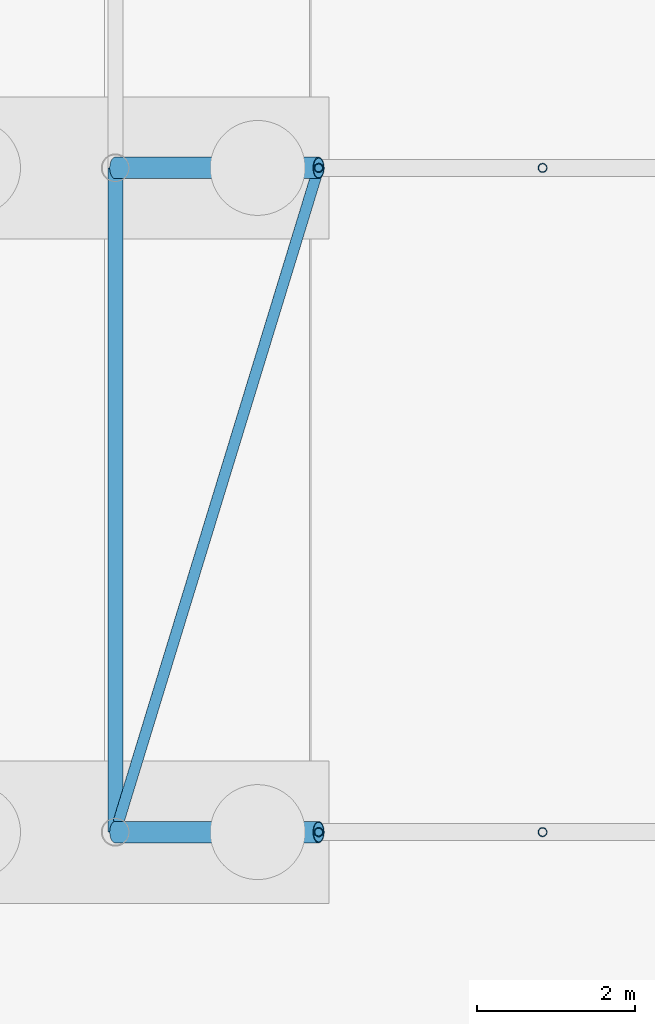
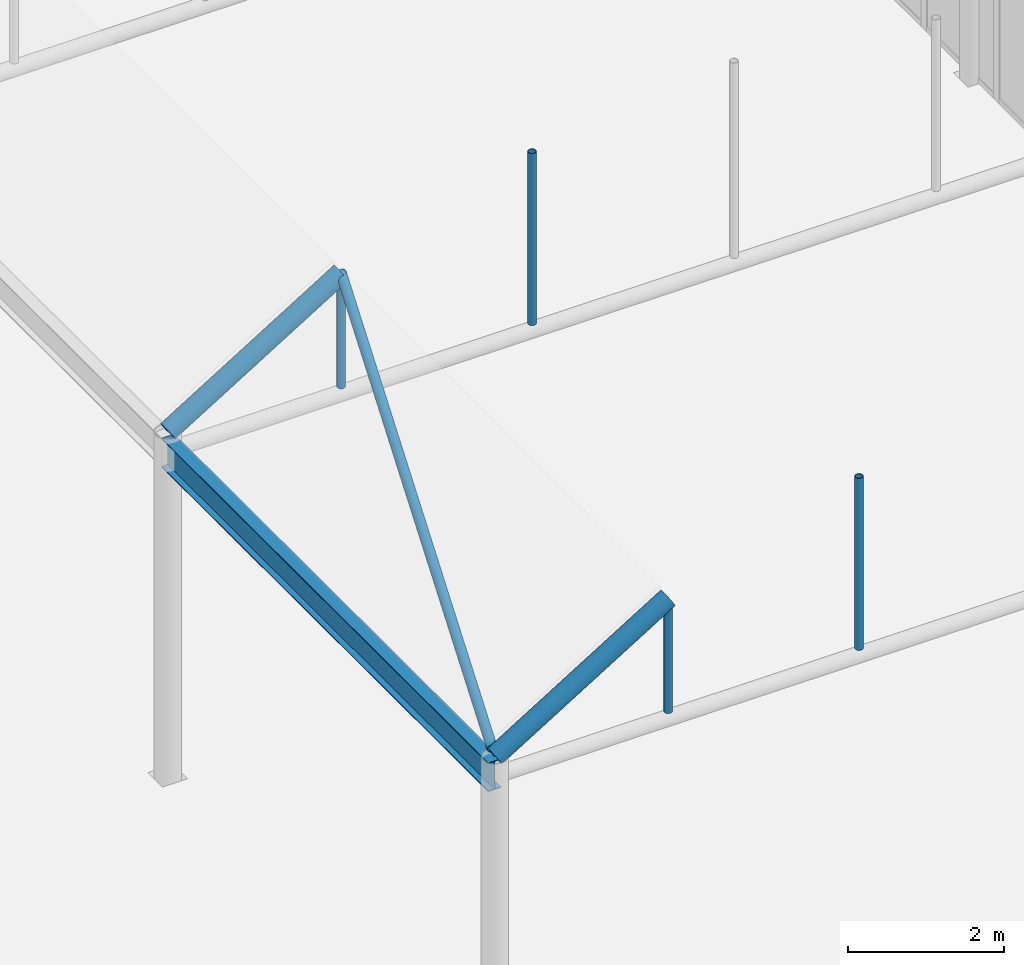
# One storey, part 84 of 212: 7 members, 1 beam.
"""IFC4 building model written with IfcOpenShell, lengths in metres."""

from ifc_helpers import new_model, si_unit, direction, frame, origin, origin_2d, place, context, subcontext, project, spatial, hollow_circle, i_section, extrude, material, material_profile, profile_set, type_object, element, save


model = new_model("IFC4")

# Units and contexts
model_context = context("Model", 3, precision=1e-05, world=origin(), true_north=direction((0.0, 1.0)))
body_context = subcontext(model_context, "Body", "Model", "MODEL_VIEW")
ifc_project = project(units=[si_unit("LENGTHUNIT", "METRE"), si_unit("AREAUNIT", "SQUARE_METRE"), si_unit("VOLUMEUNIT", "CUBIC_METRE"), si_unit("PLANEANGLEUNIT", "RADIAN"), si_unit("MASSUNIT", "GRAM", prefix="KILO")], contexts=[model_context])

# Site, building, storey
site_placement = place(None, origin())
site = spatial("IfcSite", under=ifc_project, at=site_placement, CompositionType="ELEMENT")
building_placement = place(site_placement, origin())
building = spatial("IfcBuilding", under=site, at=building_placement, Name="Catenary Quay Ferry Terminal", CompositionType="ELEMENT")
storey_placement = place(building_placement, origin())
storey = spatial("IfcBuildingStorey", under=building, at=storey_placement, Name="L00", CompositionType="ELEMENT", Elevation=0.0)

# Beam
ifc_material_1 = material(Name="Steel S355", Category="steel")
ifc_material_profile_1 = material_profile(ifc_material_1, i_section(OverallWidth=0.18994140625, OverallDepth=0.453369140625, WebThickness=0.008544921875, FlangeThickness=0.0126953125, at=origin_2d()), Name="UB 457x191x67")
ifc_profile_set_1 = profile_set([ifc_material_profile_1], Name="Steel S355")
beam_type = type_object("IfcBeamType", Name="B1 UB 457x191x67", PredefinedType="BEAM", material=ifc_profile_set_1)
beam_placement = place(storey_placement, frame((8.39990234375, 67.199951171875, 5.10009765625), z_axis=(0.0, 1.0, 0.0), x_axis=(-1.0, 0.0, 0.0)))
element("IfcBeam", 1, at=beam_placement, inside=storey, type_object=beam_type, Name="Eaves beam B-FB1", PredefinedType="BEAM", context=body_context, shape_type="SweptSolid", body=[
    extrude(i_section(OverallWidth=0.18994140625, OverallDepth=0.453369140625, WebThickness=0.008544921875, FlangeThickness=0.0126953125, at=origin_2d()), origin(), (0.0, 0.0, 1.0), 8.400146484375),
])

# Members
ifc_material_2 = material(Name="Steel S355", Category="steel")
ifc_material_profile_2 = material_profile(ifc_material_2, hollow_circle(Radius=0.06982421875, WallThickness=0.008056640625, at=origin_2d()), Name="CHS 139.7x8")
ifc_profile_set_2 = profile_set([ifc_material_profile_2], Name="Steel S355")
member_type_1 = type_object("IfcMemberType", Name="BR1 CHS 139.7x8", PredefinedType="BRACE", material=ifc_profile_set_2)
member_1_placement = place(storey_placement, frame((8.43994140625, 67.330078125, 5.425048828125), z_axis=(0.288006581724, 0.941056713544, 0.177382273011), x_axis=(-0.956220431368, 0.292647375922, 0.0)))
element("IfcMember", 2, at=member_1_placement, inside=storey, type_object=member_type_1, Name="Roof brace BR-FC-01-01", PredefinedType="BRACE", context=body_context, shape_type="SweptSolid", body=[
    extrude(hollow_circle(Radius=0.06982421875, WallThickness=0.008056640625, at=origin_2d()), origin(), (0.0, 0.0, 1.0), 8.7880859375),
])
ifc_material_3 = material(Name="Steel S355", Category="steel")
ifc_material_profile_3 = material_profile(ifc_material_3, hollow_circle(Radius=0.05712890625, WallThickness=0.00634765625, at=origin_2d()), Name="CHS 114.3x6.3")
ifc_profile_set_3 = profile_set([ifc_material_profile_3], Name="Steel S355")
member_type_2 = type_object("IfcMemberType", Name="HG1 CHS 114.3x6.3", PredefinedType="POST", material=ifc_profile_set_3)
member_2_placement = place(storey_placement, frame((10.970947265625, 67.199951171875, 5.205078125), z_axis=(0.0, 0.0, 1.0), x_axis=(1.0, 0.0, 0.0)))
element("IfcMember", 3, at=member_2_placement, inside=storey, type_object=member_type_2, Name="Hanger FC-01-01", PredefinedType="POST", context=body_context, shape_type="SweptSolid", body=[
    extrude(hollow_circle(Radius=0.05712890625, WallThickness=0.00634765625, at=origin_2d()), origin(), (0.0, 0.0, 1.0), 1.64892578125),
])
member_3_placement = place(storey_placement, frame((13.802978515625, 67.199951171875, 5.205078125), z_axis=(0.0, 0.0, 1.0), x_axis=(1.0, 0.0, 0.0)))
element("IfcMember", 4, at=member_3_placement, inside=storey, type_object=member_type_2, Name="Hanger FC-01-02", PredefinedType="POST", context=body_context, shape_type="SweptSolid", body=[
    extrude(hollow_circle(Radius=0.05712890625, WallThickness=0.00634765625, at=origin_2d()), origin(), (0.0, 0.0, 1.0), 2.69580078125),
])
member_4_placement = place(storey_placement, frame((10.970947265625, 75.60009765625, 5.205078125), z_axis=(0.0, 0.0, 1.0), x_axis=(1.0, 0.0, 0.0)))
element("IfcMember", 5, at=member_4_placement, inside=storey, type_object=member_type_2, Name="Hanger FC-02-01", PredefinedType="POST", context=body_context, shape_type="SweptSolid", body=[
    extrude(hollow_circle(Radius=0.05712890625, WallThickness=0.00634765625, at=origin_2d()), origin(), (0.0, 0.0, 1.0), 1.64892578125),
])
member_5_placement = place(storey_placement, frame((13.802978515625, 75.60009765625, 5.205078125), z_axis=(0.0, 0.0, 1.0), x_axis=(1.0, 0.0, 0.0)))
element("IfcMember", 6, at=member_5_placement, inside=storey, type_object=member_type_2, Name="Hanger FC-02-02", PredefinedType="POST", context=body_context, shape_type="SweptSolid", body=[
    extrude(hollow_circle(Radius=0.05712890625, WallThickness=0.00634765625, at=origin_2d()), origin(), (0.0, 0.0, 1.0), 2.69580078125),
])
ifc_material_4 = material(Name="Steel S355", Category="steel")
ifc_material_profile_4 = material_profile(ifc_material_4, hollow_circle(Radius=0.136474609375, WallThickness=0.012451171875, at=origin_2d()), Name="CHS 273x12.5")
ifc_profile_set_4 = profile_set([ifc_material_profile_4], Name="Steel S355")
member_type_3 = type_object("IfcMemberType", Name="VR2 CHS 273x12.5", PredefinedType="RAFTER", material=ifc_profile_set_4)
for number, where, z_axis, x_axis, name in (
    (7, (8.39990234375, 67.199951171875, 5.39990234375), (0.851391726314, 0.0, 0.524530388408), (0.0, 1.0, 0.0), "rib FC-01-01"),
    (8, (8.39990234375, 75.60009765625, 5.39990234375), (0.851391726314, 0.0, 0.524530388408), (0.0, 1.0, 0.0), "rib FC-02-01"),
):
    element("IfcMember", number, at=place(storey_placement, frame(where, z_axis=z_axis, x_axis=x_axis)), inside=storey, type_object=member_type_3, Name=name, PredefinedType="RAFTER", context=body_context, shape_type="SweptSolid", body=[
        extrude(hollow_circle(Radius=0.136474609375, WallThickness=0.012451171875, at=origin_2d()), origin(), (0.0, 0.0, 1.0), 3.019775390625),
    ])

save(model, "model.ifc")
